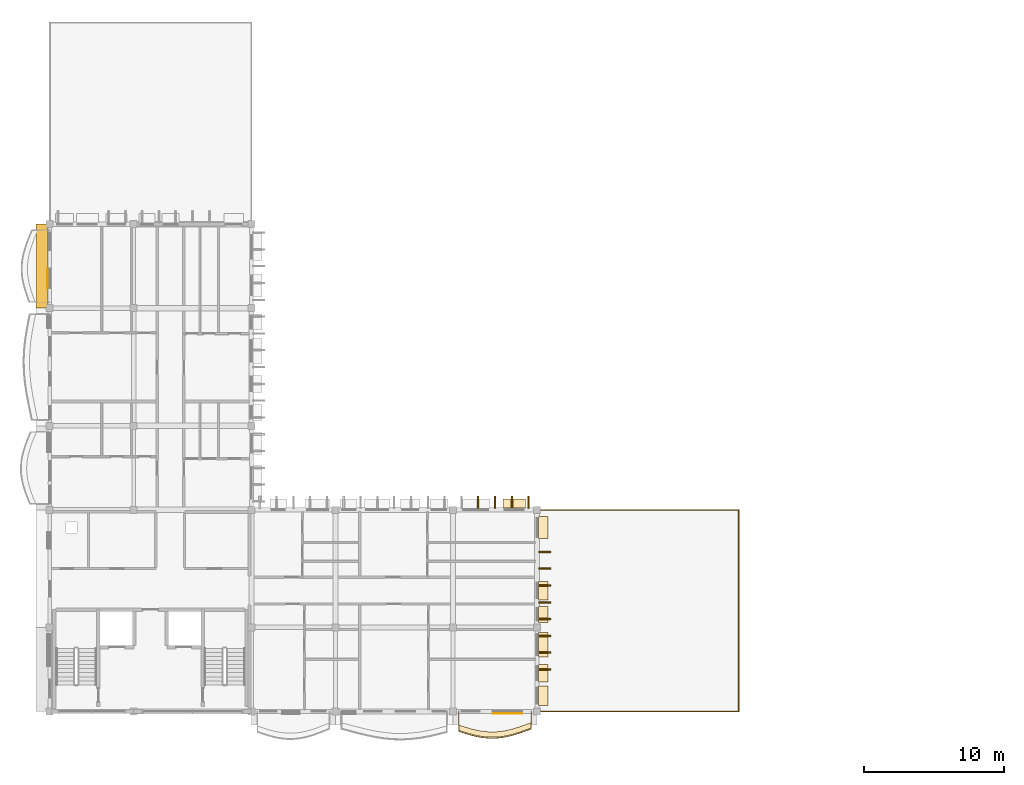
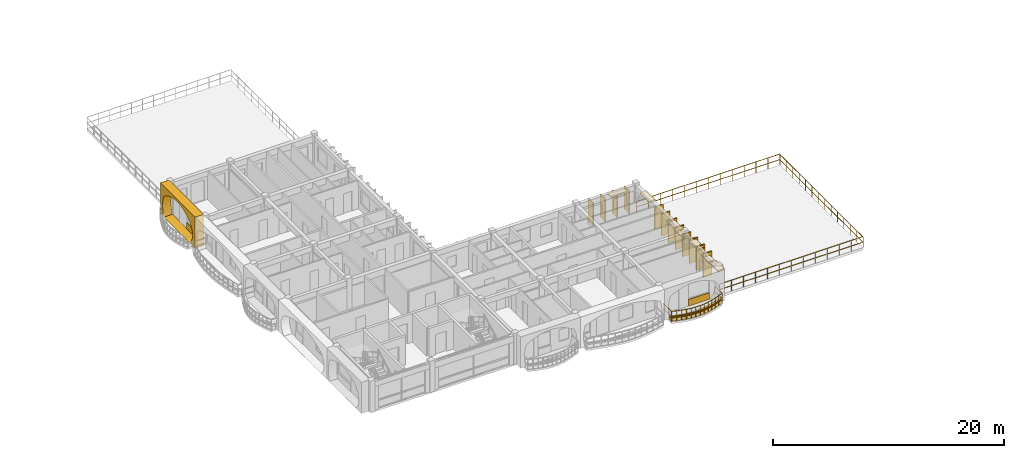
# One storey, part 39 of 59: 23 coverings, 4 railings.
"""IFC4 building model written with IfcOpenShell, lengths in metres."""

from ifc_helpers import new_model, si_unit, direction, frame, origin, origin_2d, place, context, subcontext, project, spatial, polyline, rectangle, outline, extrude, material, layer, layer_set, type_object, element, save


model = new_model("IFC4")

# Units and contexts
model_context = context("Model", 3, precision=1e-05, world=origin(), true_north=direction((0.0, 1.0)))
body_context = subcontext(model_context, "Body", "Model", "MODEL_VIEW")
ifc_project = project(units=[si_unit("LENGTHUNIT", "METRE"), si_unit("AREAUNIT", "SQUARE_METRE"), si_unit("VOLUMEUNIT", "CUBIC_METRE"), si_unit("PLANEANGLEUNIT", "RADIAN"), si_unit("MASSUNIT", "GRAM", prefix="KILO"), si_unit("THERMODYNAMICTEMPERATUREUNIT", "KELVIN")], contexts=[model_context])

# Site, building, storey
site_placement = place(None, origin())
site = spatial("IfcSite", under=ifc_project, at=site_placement, CompositionType="ELEMENT")
building_placement = place(site_placement, origin())
building = spatial("IfcBuilding", under=site, at=building_placement, Name="Thalorik Housing Commons", CompositionType="ELEMENT")
storey_placement = place(building_placement, frame((0.0, 0.0, 27.89990234375)))
storey = spatial("IfcBuildingStorey", under=building, at=storey_placement, Name="L08", CompositionType="ELEMENT", Elevation=27.89990234375)

# Coverings
ifc_material_1 = material(Name="Precast concrete C40/50", Category="concrete")
ifc_layer_1 = layer(ifc_material_1, 0.85009765625, Name="Precast concrete C40/50", Category="concrete")
ifc_layer_set_1 = layer_set([ifc_layer_1], Name="Precast concrete C40/50")
covering_type_1 = type_object("IfcCoveringType", Name="ARC-CLD-CUSH-850", PredefinedType="CLADDING", material=ifc_layer_set_1)
covering_1_placement = place(storey_placement, frame((7.857421875, 40.199951171875, 0.0), z_axis=(0.0, 0.0, 1.0), x_axis=(0.0, -1.0, 0.0)))
element("IfcCovering", 1, at=covering_1_placement, inside=storey, type_object=covering_type_1, Name="L08 White Precast Curved Cushion Bay Frame 4299", PredefinedType="CLADDING", context=body_context, shape_type="SweptSolid", body=[
    extrude(outline(polyline([(-3.0, 0.0), (3.0, 0.0), (3.0, 3.300048828125), (-3.0, 3.300048828125), (-3.0, 0.0)]), holes=[polyline([(2.0400390625, 0.02490234375), (2.3232421875, 0.399169921875), (2.493408203125, 0.773193359375), (2.550048828125, 1.1474609375), (2.493408203125, 1.521728515625), (2.3232421875, 1.895751953125), (2.0400390625, 2.27001953125), (1.66748046875, 2.50439453125), (1.294921875, 2.6884765625), (0.922607421875, 2.837646484375), (0.550048828125, 2.948486328125), (0.177490234375, 3.016845703125), (-0.195068359375, 3.0400390625), (-0.5673828125, 3.016845703125), (-0.93994140625, 2.948486328125), (-1.3125, 2.837646484375), (-1.68505859375, 2.6884765625), (-2.0576171875, 2.50439453125), (-2.429931640625, 2.27001953125), (-2.55029296875, 1.895751953125), (-2.62255859375, 1.521728515625), (-2.646484375, 1.1474609375), (-2.62255859375, 0.773193359375), (-2.55029296875, 0.399169921875), (-2.429931640625, 0.02490234375), (2.0400390625, 0.02490234375)])]), frame((0.0, 0.425048828125, 0.0), z_axis=(0.0, -1.0, 0.0), x_axis=(1.0, 0.0, 0.0)), (0.0, 0.0, 1.0), 0.85009765625),
])
ifc_layer_2 = layer(ifc_material_1, 0.85009765625, Name="Precast concrete C40/50", Category="concrete")
ifc_layer_set_2 = layer_set([ifc_layer_2], Name="Precast concrete C40/50")
covering_type_2 = type_object("IfcCoveringType", Name="ARC-CLD-FIN-850", PredefinedType="CLADDING", material=ifc_layer_set_2)
for number, where, z_axis, x_axis, name in (
    (2, (43.742431640625, 11.39990234375, 0.0400390625), (0.0, 0.0, 1.0), (0.0, 1.0, 0.0), "L08 Courtyard Precast Vertical Brise-Soleil Fin 4315"),
    (3, (43.742431640625, 12.60009765625, 0.0400390625), (0.0, 0.0, 1.0), (0.0, 1.0, 0.0), "L08 Courtyard Precast Vertical Brise-Soleil Fin 4316"),
    (4, (43.742431640625, 13.800048828125, 0.0400390625), (0.0, 0.0, 1.0), (0.0, 1.0, 0.0), "L08 Courtyard Precast Vertical Brise-Soleil Fin 4317"),
):
    element("IfcCovering", number, at=place(storey_placement, frame(where, z_axis=z_axis, x_axis=x_axis)), inside=storey, type_object=covering_type_2, Name=name, PredefinedType="CLADDING", context=body_context, shape_type="SweptSolid", body=[
        extrude(rectangle(XDim=0.110107421875, YDim=0.85009765625, at=origin_2d()), origin(), (0.0, 0.0, 1.0), 2.4951171875),
    ])
for number, where, z_axis, x_axis, name in (
    (5, (43.742431640625, 15.0, 0.0400390625), (0.0, 0.0, 1.0), (0.0, 1.0, 0.0), "L08 Courtyard Precast Vertical Brise-Soleil Fin 4321"),
    (6, (43.742431640625, 16.199951171875, 0.0400390625), (0.0, 0.0, 1.0), (0.0, 1.0, 0.0), "L08 Courtyard Precast Vertical Brise-Soleil Fin 4322"),
    (7, (43.742431640625, 17.39990234375, 0.0400390625), (0.0, 0.0, 1.0), (0.0, 1.0, 0.0), "L08 Courtyard Precast Vertical Brise-Soleil Fin 4323"),
    (8, (43.742431640625, 18.60009765625, 0.0400390625), (0.0, 0.0, 1.0), (0.0, 1.0, 0.0), "L08 Courtyard Precast Vertical Brise-Soleil Fin 4324"),
    (9, (43.742431640625, 19.800048828125, 0.0400390625), (0.0, 0.0, 1.0), (0.0, 1.0, 0.0), "L08 Courtyard Precast Vertical Brise-Soleil Fin 4325"),
):
    element("IfcCovering", number, at=place(storey_placement, frame(where, z_axis=z_axis, x_axis=x_axis)), inside=storey, type_object=covering_type_2, Name=name, PredefinedType="CLADDING", context=body_context, shape_type="SweptSolid", body=[
        extrude(rectangle(XDim=0.110107421875, YDim=0.85009765625, at=origin_2d()), origin(), (0.0, 0.0, 1.0), 2.344970703125),
    ])
for number, where, z_axis, x_axis, name in (
    (10, (42.60009765625, 23.342529296875, 0.0400390625), (0.0, 0.0, 1.0), (-1.0, 0.0, 0.0), "L08 Courtyard Precast Vertical Brise-Soleil Fin 4329"),
    (11, (41.39990234375, 23.342529296875, 0.0400390625), (0.0, 0.0, 1.0), (-1.0, 0.0, 0.0), "L08 Courtyard Precast Vertical Brise-Soleil Fin 4330"),
    (12, (40.199951171875, 23.342529296875, 0.0400390625), (0.0, 0.0, 1.0), (-1.0, 0.0, 0.0), "L08 Courtyard Precast Vertical Brise-Soleil Fin 4331"),
    (13, (39.0, 23.342529296875, 0.0400390625), (0.0, 0.0, 1.0), (-1.0, 0.0, 0.0), "L08 Courtyard Precast Vertical Brise-Soleil Fin 4332"),
):
    element("IfcCovering", number, at=place(storey_placement, frame(where, z_axis=z_axis, x_axis=x_axis)), inside=storey, type_object=covering_type_2, Name=name, PredefinedType="CLADDING", context=body_context, shape_type="SweptSolid", body=[
        extrude(rectangle(XDim=0.110107421875, YDim=0.85009765625, at=origin_2d()), origin(), (0.0, 0.0, 1.0), 2.39501953125),
    ])
ifc_layer_3 = layer(ifc_material_1, 0.64990234375, Name="Precast concrete C40/50", Category="concrete")
ifc_layer_set_3 = layer_set([ifc_layer_3], Name="Precast concrete C40/50")
covering_type_3 = type_object("IfcCoveringType", Name="ARC-CLD-HOOD-650", PredefinedType="CLADDING", material=ifc_layer_set_3)
covering_2_placement = place(storey_placement, frame((43.642578125, 9.514892578125, 2.16015625), z_axis=(0.0, 0.0, 1.0), x_axis=(0.0, 1.0, 0.0)))
element("IfcCovering", 14, at=covering_2_placement, inside=storey, type_object=covering_type_3, Name="L08 Courtyard Precast Window Sun-Hood 4318", PredefinedType="CLADDING", context=body_context, shape_type="SweptSolid", body=[
    extrude(rectangle(XDim=1.389892578125, YDim=0.64990234375, at=origin_2d()), origin(), (0.0, 0.0, 1.0), 0.139892578125),
])
covering_3_placement = place(storey_placement, frame((43.642578125, 11.138916015625, 2.0400390625), z_axis=(0.0, 0.0, 1.0), x_axis=(0.0, 1.0, 0.0)))
element("IfcCovering", 15, at=covering_3_placement, inside=storey, type_object=covering_type_3, Name="L08 Courtyard Precast Window Sun-Hood 4319", PredefinedType="CLADDING", context=body_context, shape_type="SweptSolid", body=[
    extrude(rectangle(XDim=1.239990234375, YDim=0.64990234375, at=origin_2d()), origin(), (0.0, 0.0, 1.0), 0.139892578125),
])
covering_4_placement = place(storey_placement, frame((43.642578125, 13.163818359375, 2.31005859375), z_axis=(0.0, 0.0, 1.0), x_axis=(0.0, 1.0, 0.0)))
element("IfcCovering", 16, at=covering_4_placement, inside=storey, type_object=covering_type_3, Name="L08 Courtyard Precast Window Sun-Hood 4320", PredefinedType="CLADDING", context=body_context, shape_type="SweptSolid", body=[
    extrude(rectangle(XDim=1.719970703125, YDim=0.64990234375, at=origin_2d()), origin(), (0.0, 0.0, 1.0), 0.139892578125),
])
covering_5_placement = place(storey_placement, frame((43.642578125, 21.53271484375, 2.2099609375), z_axis=(0.0, 0.0, 1.0), x_axis=(0.0, 1.0, 0.0)))
element("IfcCovering", 17, at=covering_5_placement, inside=storey, type_object=covering_type_3, Name="L08 Courtyard Precast Window Sun-Hood 4326", PredefinedType="CLADDING", context=body_context, shape_type="SweptSolid", body=[
    extrude(rectangle(XDim=1.590087890625, YDim=0.64990234375, at=origin_2d()), origin(), (0.0, 0.0, 1.0), 0.139892578125),
])
covering_6_placement = place(storey_placement, frame((43.642578125, 15.3349609375, 1.990234375), z_axis=(0.0, 0.0, 1.0), x_axis=(0.0, 1.0, 0.0)))
element("IfcCovering", 18, at=covering_6_placement, inside=storey, type_object=covering_type_3, Name="L08 Courtyard Precast Window Sun-Hood 4327", PredefinedType="CLADDING", context=body_context, shape_type="SweptSolid", body=[
    extrude(rectangle(XDim=1.139892578125, YDim=0.64990234375, at=origin_2d()), origin(), (0.0, 0.0, 1.0), 0.139892578125),
])
covering_7_placement = place(storey_placement, frame((43.642578125, 17.030029296875, 2.09033203125), z_axis=(0.0, 0.0, 1.0), x_axis=(0.0, 1.0, 0.0)))
element("IfcCovering", 19, at=covering_7_placement, inside=storey, type_object=covering_type_3, Name="L08 Courtyard Precast Window Sun-Hood 4328", PredefinedType="CLADDING", context=body_context, shape_type="SweptSolid", body=[
    extrude(rectangle(XDim=1.340087890625, YDim=0.64990234375, at=origin_2d()), origin(), (0.0, 0.0, 1.0), 0.139892578125),
])
covering_8_placement = place(storey_placement, frame((41.570068359375, 23.242431640625, 2.3251953125), z_axis=(0.0, 0.0, 1.0), x_axis=(-1.0, 0.0, 0.0)))
element("IfcCovering", 20, at=covering_8_placement, inside=storey, type_object=covering_type_3, Name="L08 Courtyard Precast Window Sun-Hood 4334", PredefinedType="CLADDING", context=body_context, shape_type="SweptSolid", body=[
    extrude(rectangle(XDim=1.590087890625, YDim=0.64990234375, at=origin_2d()), origin(), (0.0, 0.0, 1.0), 0.139892578125),
])
ifc_material_2 = material(Name="Terracotta red mineral fibre-cement panel", Category="masonry")
ifc_layer_4 = layer(ifc_material_2, 0.054931640625, Name="Terracotta red mineral fibre-cement panel", Category="masonry")
ifc_layer_set_4 = layer_set([ifc_layer_4], Name="Terracotta red mineral fibre-cement panel")
covering_type_4 = type_object("IfcCoveringType", Name="ARC-CLD-RED-55", PredefinedType="CLADDING", material=ifc_layer_set_4)
covering_9_placement = place(storey_placement, frame((8.25, 39.3349609375, 0.05029296875), z_axis=(0.0, 0.0, 1.0), x_axis=(0.0, -1.0, 0.0)))
element("IfcCovering", 21, at=covering_9_placement, inside=storey, type_object=covering_type_4, Name="L08 De Stijl Recessed Window Spandrel 4300", PredefinedType="CLADDING", context=body_context, shape_type="SweptSolid", body=[
    extrude(rectangle(XDim=1.39990234375, YDim=0.054931640625, at=origin_2d()), origin(), (0.0, 0.0, 1.0), 0.699951171875),
])
covering_10_placement = place(storey_placement, frame((41.090087890625, 8.25, 0.05029296875), z_axis=(0.0, 0.0, 1.0), x_axis=(1.0, 0.0, 0.0)))
element("IfcCovering", 22, at=covering_10_placement, inside=storey, type_object=covering_type_4, Name="L08 De Stijl Recessed Window Spandrel 4314", PredefinedType="CLADDING", context=body_context, shape_type="SweptSolid", body=[
    extrude(rectangle(XDim=2.10009765625, YDim=0.054931640625, at=origin_2d()), origin(), (0.0, 0.0, 1.0), 0.699951171875),
])
ifc_material_3 = material(Name="Planted vegetated substrate and terracotta trough", Category="masonry")
ifc_layer_5 = layer(ifc_material_3, 0.340087890625, Name="Planted vegetated substrate and terracotta trough", Category="masonry")
ifc_layer_set_5 = layer_set([ifc_layer_5], Name="Planted vegetated substrate and terracotta trough")
covering_type_5 = type_object("IfcCoveringType", Name="ARC-COV-PLANTER", PredefinedType="USERDEFINED", material=ifc_layer_set_5)
covering_11_placement = place(storey_placement, origin())
element("IfcCovering", 23, at=covering_11_placement, inside=storey, type_object=covering_type_5, Name="L08 Balcony Slab-Edge Planted Trough 5632", ObjectType="PLANTER", PredefinedType="USERDEFINED", context=body_context, shape_type="SweptSolid", body=[
    extrude(outline(polyline([(37.6201171875, 7.047119140625), (38.050048828125, 6.9091796875), (38.47998046875, 6.78369140625), (38.909912109375, 6.67919921875), (39.340087890625, 6.603759765625), (39.77001953125, 6.5634765625), (40.199951171875, 6.561279296875), (40.6298828125, 6.5986328125), (41.06005859375, 6.673095703125), (41.489990234375, 6.77978515625), (41.919921875, 6.912353515625), (42.35009765625, 7.0615234375), (42.780029296875, 7.21728515625), (42.780029296875, 7.597412109375), (42.35009765625, 7.441650390625), (41.919921875, 7.29248046875), (41.489990234375, 7.159912109375), (41.06005859375, 7.052978515625), (40.6298828125, 6.978515625), (40.199951171875, 6.94140625), (39.77001953125, 6.943359375), (39.340087890625, 6.98388671875), (38.909912109375, 7.05908203125), (38.47998046875, 7.16357421875), (38.050048828125, 7.289306640625), (37.6201171875, 7.427001953125), (37.6201171875, 7.047119140625)])), origin(), (0.0, 0.0, 1.0), 0.340087890625),
])

# Railings
ifc_material_4 = material(Name="Steel S355", Category="steel")
railing_type_1 = type_object("IfcRailingType", Name="ARC-RL-BAL-112", PredefinedType="BALUSTRADE", material=ifc_material_4)
railing_1_placement = place(storey_placement, frame((37.6201171875, 8.39990234375, 0.0)))
element("IfcRailing", 24, at=railing_1_placement, inside=storey, type_object=railing_type_1, Name="L08 Cushion Balcony Guardrail 316", PredefinedType="BALUSTRADE", context=body_context, shape_type="SweptSolid", body=[
    extrude(rectangle(XDim=0.050048828125, YDim=0.050048828125, at=origin_2d()), frame((0.0, 0.0, 1.09521484375), z_axis=(0.0, -1.0, 0.0), x_axis=(1.0, 0.0, 0.0)), (0.0, 0.0, 1.0), 1.4228515625),
    extrude(rectangle(XDim=0.050048828125, YDim=0.050048828125, at=origin_2d()), frame((0.0, 0.0, 0.53515625), z_axis=(0.0, -1.0, 0.0), x_axis=(1.0, 0.0, 0.0)), (0.0, 0.0, 1.0), 1.4228515625),
    extrude(rectangle(XDim=0.050048828125, YDim=0.050048828125, at=origin_2d()), frame((0.0, -1.4228515625, 1.09521484375), z_axis=(0.95234876715, -0.305011189479, 0.0), x_axis=(0.305011189479, 0.95234876715, 0.0)), (0.0, 0.0, 1.0), 0.451416015625),
    extrude(rectangle(XDim=0.050048828125, YDim=0.050048828125, at=origin_2d()), frame((0.0, -1.4228515625, 0.53515625), z_axis=(0.95234876715, -0.305011189479, 0.0), x_axis=(0.305011189479, 0.95234876715, 0.0)), (0.0, 0.0, 1.0), 0.451416015625),
    extrude(rectangle(XDim=0.050048828125, YDim=0.050048828125, at=origin_2d()), frame((0.429931640625, -1.560546875, 1.09521484375), z_axis=(0.959798308367, -0.280690589897, 0.0), x_axis=(0.280690589897, 0.959798308367, 0.0)), (0.0, 0.0, 1.0), 0.447998046875),
    extrude(rectangle(XDim=0.050048828125, YDim=0.050048828125, at=origin_2d()), frame((0.429931640625, -1.560546875, 0.53515625), z_axis=(0.959798308367, -0.280690589897, 0.0), x_axis=(0.280690589897, 0.959798308367, 0.0)), (0.0, 0.0, 1.0), 0.447998046875),
    extrude(rectangle(XDim=0.050048828125, YDim=0.050048828125, at=origin_2d()), frame((0.85986328125, -1.686279296875, 1.09521484375), z_axis=(0.97171211012, -0.236168531023, 0.0), x_axis=(0.236168531023, 0.97171211012, 0.0)), (0.0, 0.0, 1.0), 0.4423828125),
    extrude(rectangle(XDim=0.050048828125, YDim=0.050048828125, at=origin_2d()), frame((0.85986328125, -1.686279296875, 0.53515625), z_axis=(0.97171211012, -0.236168531023, 0.0), x_axis=(0.236168531023, 0.97171211012, 0.0)), (0.0, 0.0, 1.0), 0.4423828125),
    extrude(rectangle(XDim=0.050048828125, YDim=0.050048828125, at=origin_2d()), frame((1.289794921875, -1.790771484375, 1.09521484375), z_axis=(0.984968706606, -0.172732877606, 0.0), x_axis=(0.172732877606, 0.984968706606, 0.0)), (0.0, 0.0, 1.0), 0.436767578125),
    extrude(rectangle(XDim=0.050048828125, YDim=0.050048828125, at=origin_2d()), frame((1.289794921875, -1.790771484375, 0.53515625), z_axis=(0.984968706606, -0.172732877606, 0.0), x_axis=(0.172732877606, 0.984968706606, 0.0)), (0.0, 0.0, 1.0), 0.436767578125),
    extrude(rectangle(XDim=0.050048828125, YDim=0.050048828125, at=origin_2d()), frame((1.719970703125, -1.8662109375, 1.09521484375), z_axis=(0.995639150564, -0.093288165726, 0.0), x_axis=(0.093288165726, 0.995639150564, 0.0)), (0.0, 0.0, 1.0), 0.431884765625),
    extrude(rectangle(XDim=0.050048828125, YDim=0.050048828125, at=origin_2d()), frame((1.719970703125, -1.8662109375, 0.53515625), z_axis=(0.995639150564, -0.093288165726, 0.0), x_axis=(0.093288165726, 0.995639150564, 0.0)), (0.0, 0.0, 1.0), 0.431884765625),
    extrude(rectangle(XDim=0.050048828125, YDim=0.050048828125, at=origin_2d()), frame((2.14990234375, -1.906494140625, 1.09521484375), z_axis=(0.99998968131, -0.004542826491, 0.0), x_axis=(0.004542826491, 0.99998968131, 0.0)), (0.0, 0.0, 1.0), 0.429931640625),
    extrude(rectangle(XDim=0.050048828125, YDim=0.050048828125, at=origin_2d()), frame((2.14990234375, -1.906494140625, 0.53515625), z_axis=(0.99998968131, -0.004542826491, 0.0), x_axis=(0.004542826491, 0.99998968131, 0.0)), (0.0, 0.0, 1.0), 0.429931640625),
    extrude(rectangle(XDim=0.050048828125, YDim=0.050048828125, at=origin_2d()), frame((2.579833984375, -1.908447265625, 1.09521484375), z_axis=(0.996295581648, 0.085994848615, 0.0), x_axis=(-0.085994848615, 0.996295581648, 0.0)), (0.0, 0.0, 1.0), 0.431640625),
    extrude(rectangle(XDim=0.050048828125, YDim=0.050048828125, at=origin_2d()), frame((2.579833984375, -1.908447265625, 0.53515625), z_axis=(0.996295581648, 0.085994848615, 0.0), x_axis=(-0.085994848615, 0.996295581648, 0.0)), (0.0, 0.0, 1.0), 0.431640625),
    extrude(rectangle(XDim=0.050048828125, YDim=0.050048828125, at=origin_2d()), frame((3.009765625, -1.871337890625, 1.09521484375), z_axis=(0.985346891281, 0.170562316595, 0.0), x_axis=(-0.170562316595, 0.985346891281, 0.0)), (0.0, 0.0, 1.0), 0.4365234375),
    extrude(rectangle(XDim=0.050048828125, YDim=0.050048828125, at=origin_2d()), frame((3.009765625, -1.871337890625, 0.53515625), z_axis=(0.985346891281, 0.170562316595, 0.0), x_axis=(-0.170562316595, 0.985346891281, 0.0)), (0.0, 0.0, 1.0), 0.4365234375),
    extrude(rectangle(XDim=0.050048828125, YDim=0.050048828125, at=origin_2d()), frame((3.43994140625, -1.796875, 1.09521484375), z_axis=(0.970433541001, 0.241368478682, 0.0), x_axis=(-0.241368478682, 0.970433541001, 0.0)), (0.0, 0.0, 1.0), 0.443115234375),
    extrude(rectangle(XDim=0.050048828125, YDim=0.050048828125, at=origin_2d()), frame((3.43994140625, -1.796875, 0.53515625), z_axis=(0.970433541001, 0.241368478682, 0.0), x_axis=(-0.241368478682, 0.970433541001, 0.0)), (0.0, 0.0, 1.0), 0.443115234375),
    extrude(rectangle(XDim=0.050048828125, YDim=0.050048828125, at=origin_2d()), frame((3.869873046875, -1.68994140625, 1.09521484375), z_axis=(0.955755536076, 0.294162124108, 0.0), x_axis=(-0.294162124108, 0.955755536076, 0.0)), (0.0, 0.0, 1.0), 0.449951171875),
    extrude(rectangle(XDim=0.050048828125, YDim=0.050048828125, at=origin_2d()), frame((3.869873046875, -1.68994140625, 0.53515625), z_axis=(0.955755536076, 0.294162124108, 0.0), x_axis=(-0.294162124108, 0.955755536076, 0.0)), (0.0, 0.0, 1.0), 0.449951171875),
    extrude(rectangle(XDim=0.050048828125, YDim=0.050048828125, at=origin_2d()), frame((4.2998046875, -1.5576171875, 1.09521484375), z_axis=(0.94464135778, 0.328104716777, 0.0), x_axis=(-0.328104716777, 0.94464135778, 0.0)), (0.0, 0.0, 1.0), 0.455322265625),
    extrude(rectangle(XDim=0.050048828125, YDim=0.050048828125, at=origin_2d()), frame((4.2998046875, -1.5576171875, 0.53515625), z_axis=(0.94464135778, 0.328104716777, 0.0), x_axis=(-0.328104716777, 0.94464135778, 0.0)), (0.0, 0.0, 1.0), 0.455322265625),
    extrude(rectangle(XDim=0.050048828125, YDim=0.050048828125, at=origin_2d()), frame((4.72998046875, -1.408203125, 1.09521484375), z_axis=(0.940198058988, 0.3406282576, 0.0), x_axis=(-0.3406282576, 0.940198058988, 0.0)), (0.0, 0.0, 1.0), 0.457275390625),
    extrude(rectangle(XDim=0.050048828125, YDim=0.050048828125, at=origin_2d()), frame((4.72998046875, -1.408203125, 0.53515625), z_axis=(0.940198058988, 0.3406282576, 0.0), x_axis=(-0.3406282576, 0.940198058988, 0.0)), (0.0, 0.0, 1.0), 0.457275390625),
    extrude(rectangle(XDim=0.050048828125, YDim=0.050048828125, at=origin_2d()), frame((5.159912109375, -1.25244140625, 1.09521484375), z_axis=(0.0, 1.0, 0.0), x_axis=(-1.0, 0.0, 0.0)), (0.0, 0.0, 1.0), 1.25244140625),
    extrude(rectangle(XDim=0.050048828125, YDim=0.050048828125, at=origin_2d()), frame((5.159912109375, -1.25244140625, 0.53515625), z_axis=(0.0, 1.0, 0.0), x_axis=(-1.0, 0.0, 0.0)), (0.0, 0.0, 1.0), 1.25244140625),
    extrude(rectangle(XDim=0.0419921875, YDim=0.0419921875, at=origin_2d()), origin(), (0.0, 0.0, 1.0), 1.070068359375),
    extrude(rectangle(XDim=0.0419921875, YDim=0.0419921875, at=origin_2d()), frame((0.0, -1.4228515625, 0.0)), (0.0, 0.0, 1.0), 1.070068359375),
    extrude(rectangle(XDim=0.0419921875, YDim=0.0419921875, at=origin_2d()), frame((0.429931640625, -1.560546875, 0.0)), (0.0, 0.0, 1.0), 1.070068359375),
    extrude(rectangle(XDim=0.0419921875, YDim=0.0419921875, at=origin_2d()), frame((0.85986328125, -1.686279296875, 0.0)), (0.0, 0.0, 1.0), 1.070068359375),
    extrude(rectangle(XDim=0.0419921875, YDim=0.0419921875, at=origin_2d()), frame((1.289794921875, -1.790771484375, 0.0)), (0.0, 0.0, 1.0), 1.070068359375),
    extrude(rectangle(XDim=0.0419921875, YDim=0.0419921875, at=origin_2d()), frame((1.719970703125, -1.8662109375, 0.0)), (0.0, 0.0, 1.0), 1.070068359375),
    extrude(rectangle(XDim=0.0419921875, YDim=0.0419921875, at=origin_2d()), frame((2.14990234375, -1.906494140625, 0.0)), (0.0, 0.0, 1.0), 1.070068359375),
    extrude(rectangle(XDim=0.0419921875, YDim=0.0419921875, at=origin_2d()), frame((2.579833984375, -1.908447265625, 0.0)), (0.0, 0.0, 1.0), 1.070068359375),
    extrude(rectangle(XDim=0.0419921875, YDim=0.0419921875, at=origin_2d()), frame((3.009765625, -1.871337890625, 0.0)), (0.0, 0.0, 1.0), 1.070068359375),
    extrude(rectangle(XDim=0.0419921875, YDim=0.0419921875, at=origin_2d()), frame((3.43994140625, -1.796875, 0.0)), (0.0, 0.0, 1.0), 1.070068359375),
    extrude(rectangle(XDim=0.0419921875, YDim=0.0419921875, at=origin_2d()), frame((3.869873046875, -1.68994140625, 0.0)), (0.0, 0.0, 1.0), 1.070068359375),
    extrude(rectangle(XDim=0.0419921875, YDim=0.0419921875, at=origin_2d()), frame((4.2998046875, -1.5576171875, 0.0)), (0.0, 0.0, 1.0), 1.070068359375),
    extrude(rectangle(XDim=0.0419921875, YDim=0.0419921875, at=origin_2d()), frame((4.72998046875, -1.408203125, 0.0)), (0.0, 0.0, 1.0), 1.070068359375),
    extrude(rectangle(XDim=0.0419921875, YDim=0.0419921875, at=origin_2d()), frame((5.159912109375, -1.25244140625, 0.0)), (0.0, 0.0, 1.0), 1.070068359375),
    extrude(rectangle(XDim=0.0419921875, YDim=0.0419921875, at=origin_2d()), frame((5.159912109375, 0.0, 0.0)), (0.0, 0.0, 1.0), 1.070068359375),
])
railing_type_2 = type_object("IfcRailingType", Name="ARC-RL-TER-112", PredefinedType="GUARDRAIL", material=ifc_material_4)
railing_2_placement = place(storey_placement, frame((57.60009765625, 8.39990234375, 0.0)))
element("IfcRailing", 25, at=railing_2_placement, inside=storey, type_object=railing_type_2, Name="L08 L08 East Roof Terrace Edge Guardrail", PredefinedType="GUARDRAIL", context=body_context, shape_type="SweptSolid", body=[
    extrude(rectangle(XDim=0.048095703125, YDim=0.048095703125, at=origin_2d()), frame((0.0, 0.0, 1.09619140625), z_axis=(0.0, 1.0, 0.0), x_axis=(-1.0, 0.0, 0.0)), (0.0, 0.0, 1.0), 14.400146484375),
    extrude(rectangle(XDim=0.048095703125, YDim=0.048095703125, at=origin_2d()), frame((0.0, 0.0, 0.5361328125), z_axis=(0.0, 1.0, 0.0), x_axis=(-1.0, 0.0, 0.0)), (0.0, 0.0, 1.0), 14.400146484375),
    extrude(rectangle(XDim=0.0419921875, YDim=0.0419921875, at=origin_2d()), origin(), (0.0, 0.0, 1.0), 1.072021484375),
    extrude(rectangle(XDim=0.0419921875, YDim=0.0419921875, at=origin_2d()), frame((0.0, 1.107666015625, 0.0)), (0.0, 0.0, 1.0), 1.072021484375),
    extrude(rectangle(XDim=0.0419921875, YDim=0.0419921875, at=origin_2d()), frame((0.0, 2.21533203125, 0.0)), (0.0, 0.0, 1.0), 1.072021484375),
    extrude(rectangle(XDim=0.0419921875, YDim=0.0419921875, at=origin_2d()), frame((0.0, 3.322998046875, 0.0)), (0.0, 0.0, 1.0), 1.072021484375),
    extrude(rectangle(XDim=0.0419921875, YDim=0.0419921875, at=origin_2d()), frame((0.0, 4.430908203125, 0.0)), (0.0, 0.0, 1.0), 1.072021484375),
    extrude(rectangle(XDim=0.0419921875, YDim=0.0419921875, at=origin_2d()), frame((0.0, 5.53857421875, 0.0)), (0.0, 0.0, 1.0), 1.072021484375),
    extrude(rectangle(XDim=0.0419921875, YDim=0.0419921875, at=origin_2d()), frame((0.0, 6.646240234375, 0.0)), (0.0, 0.0, 1.0), 1.072021484375),
    extrude(rectangle(XDim=0.0419921875, YDim=0.0419921875, at=origin_2d()), frame((0.0, 7.75390625, 0.0)), (0.0, 0.0, 1.0), 1.072021484375),
    extrude(rectangle(XDim=0.0419921875, YDim=0.0419921875, at=origin_2d()), frame((0.0, 8.861572265625, 0.0)), (0.0, 0.0, 1.0), 1.072021484375),
    extrude(rectangle(XDim=0.0419921875, YDim=0.0419921875, at=origin_2d()), frame((0.0, 9.96923828125, 0.0)), (0.0, 0.0, 1.0), 1.072021484375),
    extrude(rectangle(XDim=0.0419921875, YDim=0.0419921875, at=origin_2d()), frame((0.0, 11.0771484375, 0.0)), (0.0, 0.0, 1.0), 1.072021484375),
    extrude(rectangle(XDim=0.0419921875, YDim=0.0419921875, at=origin_2d()), frame((0.0, 12.184814453125, 0.0)), (0.0, 0.0, 1.0), 1.072021484375),
    extrude(rectangle(XDim=0.0419921875, YDim=0.0419921875, at=origin_2d()), frame((0.0, 13.29248046875, 0.0)), (0.0, 0.0, 1.0), 1.072021484375),
    extrude(rectangle(XDim=0.0419921875, YDim=0.0419921875, at=origin_2d()), frame((0.0, 14.400146484375, 0.0)), (0.0, 0.0, 1.0), 1.072021484375),
])
railing_type_3 = type_object("IfcRailingType", Name="ARC-RL-TER-118", PredefinedType="GUARDRAIL", material=ifc_material_4)
railing_3_placement = place(storey_placement, frame((43.25, 8.39990234375, 0.0)))
element("IfcRailing", 26, at=railing_3_placement, inside=storey, type_object=railing_type_3, Name="L08 L08 East Roof Terrace Edge Guardrail", PredefinedType="GUARDRAIL", context=body_context, shape_type="SweptSolid", body=[
    extrude(rectangle(XDim=0.048095703125, YDim=0.048095703125, at=origin_2d()), frame((0.0, 0.0, 1.15576171875), z_axis=(1.0, 0.0, 0.0), x_axis=(0.0, 1.0, 0.0)), (0.0, 0.0, 1.0), 14.35009765625),
    extrude(rectangle(XDim=0.048095703125, YDim=0.048095703125, at=origin_2d()), frame((0.0, 0.0, 0.56591796875), z_axis=(1.0, 0.0, 0.0), x_axis=(0.0, 1.0, 0.0)), (0.0, 0.0, 1.0), 14.35009765625),
    extrude(rectangle(XDim=0.0419921875, YDim=0.0419921875, at=origin_2d()), origin(), (0.0, 0.0, 1.0), 1.1318359375),
    extrude(rectangle(XDim=0.0419921875, YDim=0.0419921875, at=origin_2d()), frame((1.19580078125, 0.0, 0.0)), (0.0, 0.0, 1.0), 1.1318359375),
    extrude(rectangle(XDim=0.0419921875, YDim=0.0419921875, at=origin_2d()), frame((2.3916015625, 0.0, 0.0)), (0.0, 0.0, 1.0), 1.1318359375),
    extrude(rectangle(XDim=0.0419921875, YDim=0.0419921875, at=origin_2d()), frame((3.58740234375, 0.0, 0.0)), (0.0, 0.0, 1.0), 1.1318359375),
    extrude(rectangle(XDim=0.0419921875, YDim=0.0419921875, at=origin_2d()), frame((4.783447265625, 0.0, 0.0)), (0.0, 0.0, 1.0), 1.1318359375),
    extrude(rectangle(XDim=0.0419921875, YDim=0.0419921875, at=origin_2d()), frame((5.979248046875, 0.0, 0.0)), (0.0, 0.0, 1.0), 1.1318359375),
    extrude(rectangle(XDim=0.0419921875, YDim=0.0419921875, at=origin_2d()), frame((7.175048828125, 0.0, 0.0)), (0.0, 0.0, 1.0), 1.1318359375),
    extrude(rectangle(XDim=0.0419921875, YDim=0.0419921875, at=origin_2d()), frame((8.370849609375, 0.0, 0.0)), (0.0, 0.0, 1.0), 1.1318359375),
    extrude(rectangle(XDim=0.0419921875, YDim=0.0419921875, at=origin_2d()), frame((9.566650390625, 0.0, 0.0)), (0.0, 0.0, 1.0), 1.1318359375),
    extrude(rectangle(XDim=0.0419921875, YDim=0.0419921875, at=origin_2d()), frame((10.7626953125, 0.0, 0.0)), (0.0, 0.0, 1.0), 1.1318359375),
    extrude(rectangle(XDim=0.0419921875, YDim=0.0419921875, at=origin_2d()), frame((11.95849609375, 0.0, 0.0)), (0.0, 0.0, 1.0), 1.1318359375),
    extrude(rectangle(XDim=0.0419921875, YDim=0.0419921875, at=origin_2d()), frame((13.154296875, 0.0, 0.0)), (0.0, 0.0, 1.0), 1.1318359375),
    extrude(rectangle(XDim=0.0419921875, YDim=0.0419921875, at=origin_2d()), frame((14.35009765625, 0.0, 0.0)), (0.0, 0.0, 1.0), 1.1318359375),
])
railing_4_placement = place(storey_placement, frame((57.60009765625, 22.800048828125, 0.0)))
element("IfcRailing", 27, at=railing_4_placement, inside=storey, type_object=railing_type_3, Name="L08 L08 East Roof Terrace Edge Guardrail", PredefinedType="GUARDRAIL", context=body_context, shape_type="SweptSolid", body=[
    extrude(rectangle(XDim=0.048095703125, YDim=0.048095703125, at=origin_2d()), frame((0.0, 0.0, 1.15576171875), z_axis=(-1.0, 0.0, 0.0), x_axis=(0.0, -1.0, 0.0)), (0.0, 0.0, 1.0), 14.35009765625),
    extrude(rectangle(XDim=0.048095703125, YDim=0.048095703125, at=origin_2d()), frame((0.0, 0.0, 0.56591796875), z_axis=(-1.0, 0.0, 0.0), x_axis=(0.0, -1.0, 0.0)), (0.0, 0.0, 1.0), 14.35009765625),
    extrude(rectangle(XDim=0.0419921875, YDim=0.0419921875, at=origin_2d()), origin(), (0.0, 0.0, 1.0), 1.1318359375),
    extrude(rectangle(XDim=0.0419921875, YDim=0.0419921875, at=origin_2d()), frame((-1.19580078125, 0.0, 0.0)), (0.0, 0.0, 1.0), 1.1318359375),
    extrude(rectangle(XDim=0.0419921875, YDim=0.0419921875, at=origin_2d()), frame((-2.3916015625, 0.0, 0.0)), (0.0, 0.0, 1.0), 1.1318359375),
    extrude(rectangle(XDim=0.0419921875, YDim=0.0419921875, at=origin_2d()), frame((-3.58740234375, 0.0, 0.0)), (0.0, 0.0, 1.0), 1.1318359375),
    extrude(rectangle(XDim=0.0419921875, YDim=0.0419921875, at=origin_2d()), frame((-4.783447265625, 0.0, 0.0)), (0.0, 0.0, 1.0), 1.1318359375),
    extrude(rectangle(XDim=0.0419921875, YDim=0.0419921875, at=origin_2d()), frame((-5.979248046875, 0.0, 0.0)), (0.0, 0.0, 1.0), 1.1318359375),
    extrude(rectangle(XDim=0.0419921875, YDim=0.0419921875, at=origin_2d()), frame((-7.175048828125, 0.0, 0.0)), (0.0, 0.0, 1.0), 1.1318359375),
    extrude(rectangle(XDim=0.0419921875, YDim=0.0419921875, at=origin_2d()), frame((-8.370849609375, 0.0, 0.0)), (0.0, 0.0, 1.0), 1.1318359375),
    extrude(rectangle(XDim=0.0419921875, YDim=0.0419921875, at=origin_2d()), frame((-9.566650390625, 0.0, 0.0)), (0.0, 0.0, 1.0), 1.1318359375),
    extrude(rectangle(XDim=0.0419921875, YDim=0.0419921875, at=origin_2d()), frame((-10.7626953125, 0.0, 0.0)), (0.0, 0.0, 1.0), 1.1318359375),
    extrude(rectangle(XDim=0.0419921875, YDim=0.0419921875, at=origin_2d()), frame((-11.95849609375, 0.0, 0.0)), (0.0, 0.0, 1.0), 1.1318359375),
    extrude(rectangle(XDim=0.0419921875, YDim=0.0419921875, at=origin_2d()), frame((-13.154296875, 0.0, 0.0)), (0.0, 0.0, 1.0), 1.1318359375),
    extrude(rectangle(XDim=0.0419921875, YDim=0.0419921875, at=origin_2d()), frame((-14.35009765625, 0.0, 0.0)), (0.0, 0.0, 1.0), 1.1318359375),
])

save(model, "model.ifc")
